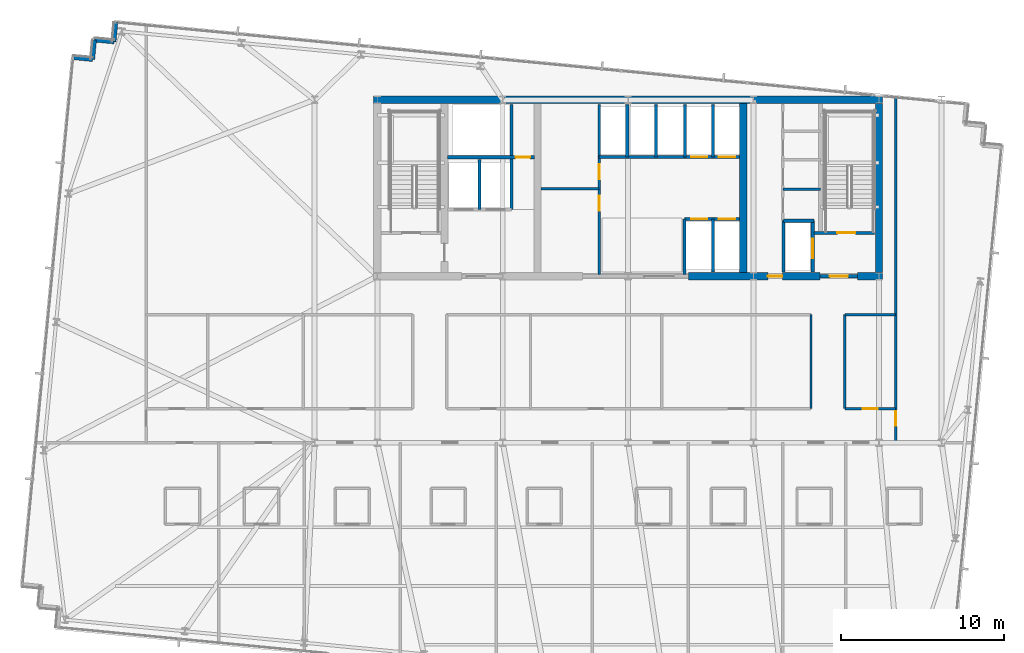
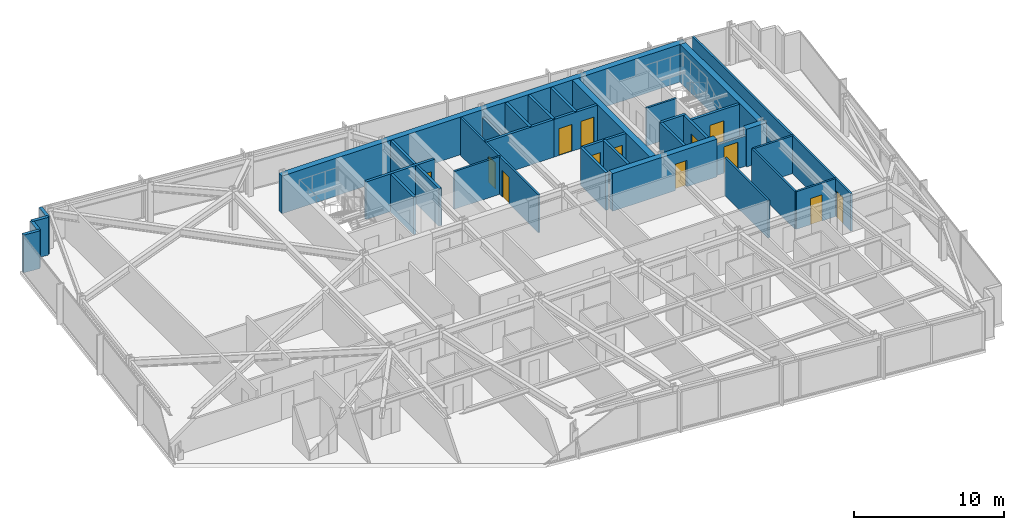
# One storey, part 31 of 38: 34 walls, 13 doors, 13 openings.
"""IFC4 building model written with IfcOpenShell, lengths in metres."""

import ifcopenshell
import ifcopenshell.guid

model = None  # the IFC model being written
_history = None  # IfcOwnerHistory: only IFC2X3 demands one
_inside = {}  # id of a spatial element -> (the spatial element, [elements in it])
_under = {}  # id of a project, library or spatial element -> (it, [spatial elements below it])
_declared = {}  # id of a project -> (the project, [libraries it declares])
_typed = {}  # id of a type object -> (the type object, [elements of that type])
_made_of = {}  # id of a material, layer set ... -> (it, [elements and type objects made of it])


def new_model(schema):
    """Start an empty IFC model of exactly this schema.

    Asked for "IFC4X3", IfcOpenShell would pick the latest addendum, in which some entities
    have other attributes; the version numbers below select the first issue.
    IFC2X3 requires an IfcOwnerHistory on every rooted entity: one is made here for all.
    """
    global model, _history
    if schema == "IFC4X3":
        model = ifcopenshell.file(schema_version=(4, 3, 0, 0))
    else:
        model = ifcopenshell.file(schema=schema)
    _inside.clear()
    _under.clear()
    _declared.clear()
    _typed.clear()
    _made_of.clear()
    _history = None
    if model.schema == "IFC2X3":
        org = make("IfcOrganization", Name="unknown")
        user = make(
            "IfcPersonAndOrganization",
            ThePerson=make("IfcPerson", FamilyName="unknown"),
            TheOrganization=org,
        )
        app = make(
            "IfcApplication",
            ApplicationDeveloper=org,
            Version="unknown",
            ApplicationFullName="unknown",
            ApplicationIdentifier="unknown",
        )
        _history = make(
            "IfcOwnerHistory",
            OwningUser=user,
            OwningApplication=app,
            ChangeAction="ADDED",
            CreationDate=0,
        )
    return model


def make(cls, **values):
    """One entity of the class cls with the attributes given. An attribute that is None is left unset."""
    return model.create_entity(
        cls, **{name: value for name, value in values.items() if value is not None}
    )


def rooted(cls, **values):
    """An entity with a GlobalId (a new one), such as an element, a storey or a relation."""
    return make(cls, GlobalId=ifcopenshell.guid.new(), OwnerHistory=_history, **values)


def si_unit(unit_type, name, prefix=None):
    """IfcSIUnit, for example si_unit("LENGTHUNIT", "METRE", prefix="MILLI")."""
    return make("IfcSIUnit", UnitType=unit_type, Prefix=prefix, Name=name)


def assignment(units):
    """IfcUnitAssignment: the units of a project."""
    return None if units is None else make("IfcUnitAssignment", Units=units)


def point(xyz):
    """IfcCartesianPoint."""
    return None if xyz is None else make("IfcCartesianPoint", Coordinates=xyz)


def direction(xyz):
    """IfcDirection."""
    return None if xyz is None else make("IfcDirection", DirectionRatios=xyz)


def frame(location, z_axis=None, x_axis=None):
    """IfcAxis2Placement3D, a coordinate frame: its origin and axes. An axis left out is left unset."""
    return make(
        "IfcAxis2Placement3D",
        Location=point(location),
        Axis=direction(z_axis),
        RefDirection=direction(x_axis),
    )


def frame_2d(location, x_axis=None):
    """IfcAxis2Placement2D, a coordinate frame in the plane: its origin and x axis."""
    return make(
        "IfcAxis2Placement2D", Location=point(location), RefDirection=direction(x_axis)
    )


def origin():
    """The frame at (0, 0, 0) with its axes left unset."""
    return frame((0.0, 0.0, 0.0))


def place(relative_to, where):
    """IfcLocalPlacement: puts the frame where relative to a parent placement (None: the world)."""
    return make(
        "IfcLocalPlacement", PlacementRelTo=relative_to, RelativePlacement=where
    )


def context(
    kind, dimensions, precision=None, world=None, true_north=None, identifier=None
):
    """IfcGeometricRepresentationContext, for example the 3D "Model" context."""
    return make(
        "IfcGeometricRepresentationContext",
        ContextIdentifier=identifier,
        ContextType=kind,
        CoordinateSpaceDimension=dimensions,
        Precision=precision,
        WorldCoordinateSystem=world,
        TrueNorth=true_north,
    )


def subcontext(parent, identifier, kind, view, scale=None):
    """IfcGeometricRepresentationSubContext, for example "Body" below "Model"."""
    return make(
        "IfcGeometricRepresentationSubContext",
        ContextIdentifier=identifier,
        ContextType=kind,
        ParentContext=parent,
        TargetScale=scale,
        TargetView=view,
    )


def project(units=None, contexts=None):
    """IfcProject with its units and contexts."""
    return rooted(
        "IfcProject",
        Name="project",
        RepresentationContexts=contexts,
        UnitsInContext=assignment(units),
    )


def spatial(cls, under=None, at=None, **own):
    """A site, building, storey or space (cls), placed at a placement, below another one or the project."""
    s = rooted(cls, ObjectPlacement=at, **own)
    if under is not None:
        _under.setdefault(under.id(), (under, []))[1].append(s)
    return s


def profile(cls, at=None, kind="AREA", **sizes):
    """A parametric profile (cls). Its sizes go by their IFC names, for example OverallWidth=200.0."""
    return make(cls, ProfileType=kind, Position=at, **sizes)


def rectangle(**sizes):
    """IfcRectangleProfileDef."""
    return profile("IfcRectangleProfileDef", **sizes)


def extrude(swept, where, along, depth):
    """IfcExtrudedAreaSolid: the profile swept, set in the frame where, extruded along a direction by depth."""
    return make(
        "IfcExtrudedAreaSolid",
        SweptArea=swept,
        Position=where,
        ExtrudedDirection=direction(along),
        Depth=depth,
    )


def shape(context_of_items, identifier, shape_type, items):
    """IfcShapeRepresentation: the items that make up one representation, for example the "Body"."""
    return make(
        "IfcShapeRepresentation",
        ContextOfItems=context_of_items,
        RepresentationIdentifier=identifier,
        RepresentationType=shape_type,
        Items=items,
    )


def material(Name=None, Category=None):
    """IfcMaterial."""
    return make("IfcMaterial", Name=Name, Category=Category)


def layer(
    of_material, thickness, ventilated=None, Name=None, Category=None, Priority=None
):
    """IfcMaterialLayer: one layer of a wall or slab, of a material (None: an air gap)."""
    return make(
        "IfcMaterialLayer",
        Material=of_material,
        LayerThickness=thickness,
        IsVentilated=ventilated,
        Name=Name,
        Category=Category,
        Priority=Priority,
    )


def layer_set(layers, Name=None):
    """IfcMaterialLayerSet."""
    return make("IfcMaterialLayerSet", MaterialLayers=layers, LayerSetName=Name)


def made_of(thing, what):
    """Note that an element or type object is made of a material, layer set ...; save() writes the relation."""
    if what is not None:
        _made_of.setdefault(what.id(), (what, []))[1].append(thing)
    return thing


def type_object(cls, material=None, **own):
    """A type object (cls), such as IfcWallType, which elements share."""
    return made_of(rooted(cls, **own), material)


def element(
    cls,
    number,
    at=None,
    inside=None,
    cuts=None,
    type_object=None,
    material=None,
    context=None,
    identifier="Body",
    shape_type=None,
    held_by="IfcProductDefinitionShape",
    body=None,
    shapes=None,
    **own,
):
    """One element of the class cls, such as IfcWall. Its Tag is "e" and its number.

    at: its placement. inside: the storey or other place that contains it. cuts: it is an
    opening in that element (IfcRelVoidsElement). A single representation is given by context,
    identifier, shape_type and body (its items); several are given by shapes. held_by: the class
    of the entity that holds the representations. save() writes the other relations.
    """
    e = rooted(cls, Tag="e%d" % number, ObjectPlacement=at, **own)
    if body is not None:
        shapes = [shape(context, identifier, shape_type, body)]
    if shapes is not None:
        e.Representation = make(held_by, Representations=shapes)
    if inside is not None:
        _inside.setdefault(inside.id(), (inside, []))[1].append(e)
    if cuts is not None:
        rooted(
            "IfcRelVoidsElement", RelatingBuildingElement=cuts, RelatedOpeningElement=e
        )
    if type_object is not None:
        _typed.setdefault(type_object.id(), (type_object, []))[1].append(e)
    return made_of(e, material)


def fill(opening, filler):
    """IfcRelFillsElement: the door or window that sits in an opening."""
    return rooted(
        "IfcRelFillsElement",
        RelatingOpeningElement=opening,
        RelatedBuildingElement=filler,
    )


def aggregate(whole, parts):
    """IfcRelAggregates: a whole, such as a stair, and the parts it consists of."""
    return rooted("IfcRelAggregates", RelatingObject=whole, RelatedObjects=parts)


def save(model, path):
    """Write the relations noted so far, then the file.

    IfcRelAggregates (storeys below a building ...), IfcRelContainedInSpatialStructure (elements
    in a storey), IfcRelDefinesByType, IfcRelAssociatesMaterial and IfcRelDeclares: one each for
    every whole, place, type object, material and project.
    """
    for whole, parts in _under.values():
        aggregate(whole, parts)
    for where, things in _inside.values():
        rooted(
            "IfcRelContainedInSpatialStructure",
            RelatedElements=things,
            RelatingStructure=where,
        )
    for kind, things in _typed.values():
        rooted("IfcRelDefinesByType", RelatedObjects=things, RelatingType=kind)
    for what, things in _made_of.values():
        rooted("IfcRelAssociatesMaterial", RelatedObjects=things, RelatingMaterial=what)
    for by, libraries in _declared.values():
        rooted("IfcRelDeclares", RelatingContext=by, RelatedDefinitions=libraries)
    model.write(path)


model = new_model("IFC4")

# Units and contexts
model_context = context("Model", 3, precision=1e-05, world=origin(), true_north=direction((0.0, 1.0)))
body_context = subcontext(model_context, "Body", "Model", "MODEL_VIEW")
ifc_project = project(units=[si_unit("LENGTHUNIT", "METRE"), si_unit("AREAUNIT", "SQUARE_METRE"), si_unit("VOLUMEUNIT", "CUBIC_METRE"), si_unit("PLANEANGLEUNIT", "RADIAN"), si_unit("MASSUNIT", "GRAM", prefix="KILO")], contexts=[model_context])

# Site, building, storey
site_placement = place(None, origin())
site = spatial("IfcSite", under=ifc_project, at=site_placement, CompositionType="ELEMENT")
building_placement = place(site_placement, origin())
building = spatial("IfcBuilding", under=site, at=building_placement, Name="Yelkora Congress Tower", CompositionType="ELEMENT")
storey_placement = place(building_placement, frame((0.0, 0.0, 155.60009765625)))
storey = spatial("IfcBuildingStorey", under=building, at=storey_placement, Name="L42", CompositionType="ELEMENT", Elevation=155.60009765625)

# Wall
ifc_material_1 = material(Name="Concrete C60/75", Category="concrete")
ifc_layer_1 = layer(ifc_material_1, 0.449951171875)
ifc_layer_set_1 = layer_set([ifc_layer_1], Name="Concrete C60/75")
wall_type_1 = type_object("IfcWallType", Name="WALL-CORE-INT-450", PredefinedType="SHEAR", material=ifc_layer_set_1)
wall_1_placement = place(storey_placement, frame((22.81494140625, 46.199951171875, 0.0), z_axis=(0.0, 0.0, 1.0), x_axis=(1.0, 0.0, 0.0)))
element("IfcWall", 1, at=wall_1_placement, inside=storey, type_object=wall_type_1, Name="L42 Rear Core North Shear Wall", PredefinedType="SHEAR", context=body_context, shape_type="SweptSolid", body=[
    extrude(rectangle(XDim=31.170166015625, YDim=0.449951171875, at=frame_2d((15.5849609375, 0.0))), origin(), (0.0, 0.0, 1.0), 3.079833984375),
])

# Wall, opening, door
wall_2_placement = place(storey_placement, frame((42.10009765625, 35.39990234375, 0.0), z_axis=(0.0, 0.0, 1.0), x_axis=(1.0, 0.0, 0.0)))
wall_2 = element("IfcWall", 2, at=wall_2_placement, inside=storey, type_object=wall_type_1, Name="L42 Rear Core South-East Shear Wall A", PredefinedType="SHEAR", context=body_context, shape_type="SweptSolid", body=[
    extrude(rectangle(XDim=8.0498046875, YDim=0.449951171875, at=frame_2d((4.02490234375, 0.0))), origin(), (0.0, 0.0, 1.0), 3.079833984375),
])
opening_1_placement = place(wall_2_placement, frame((4.85009765625, 0.0, 0.0)))
opening_1 = element("IfcOpeningElement", 3, at=opening_1_placement, cuts=wall_2, Name="Opening DR-090F6", PredefinedType="OPENING", context=body_context, shape_type="SweptSolid", body=[
    extrude(rectangle(XDim=0.89990234375, YDim=2.14990234375, at=frame_2d((0.449951171875, 1.074951171875))), frame((0.0, 0.23486328125, 0.0), z_axis=(0.0, -1.0, 0.0), x_axis=(1.0, 0.0, 0.0)), (0.0, 0.0, 1.0), 0.469970703125),
])
ifc_material_2 = material(Name="Painted steel riser fire door leaf", Category="steel")
door_type_1 = type_object("IfcDoorType", Name="DOOR-FD60-900", OperationType="NOTDEFINED", PredefinedType="DOOR", material=ifc_material_2)
door_1_placement = place(opening_1_placement, origin())
door_1 = element("IfcDoor", 4, at=door_1_placement, inside=storey, type_object=door_type_1, Name="L42 Core Washroom Lobby Door", OperationType="SINGLE_SWING_RIGHT", OverallHeight=2.14990234375, OverallWidth=0.89990234375, PredefinedType="DOOR", context=body_context, shape_type="SweptSolid", body=[
    extrude(rectangle(XDim=0.89990234375, YDim=2.14990234375, at=frame_2d((0.449951171875, 1.074951171875))), frame((0.0, 0.02490234375, 0.0), z_axis=(0.0, -1.0, 0.0), x_axis=(1.0, 0.0, 0.0)), (0.0, 0.0, 1.0), 0.050048828125),
])
fill(opening_1, door_1)

# Walls
wall_3_placement = place(storey_placement, frame((52.449951171875, 35.39990234375, 0.0), z_axis=(0.0, 0.0, 1.0), x_axis=(1.0, 0.0, 0.0)))
element("IfcWall", 5, at=wall_3_placement, inside=storey, type_object=wall_type_1, Name="L42 Rear Core South-East Shear Wall B", PredefinedType="SHEAR", context=body_context, shape_type="SweptSolid", body=[
    extrude(rectangle(XDim=1.53515625, YDim=0.449951171875, at=frame_2d((0.767578125, 0.0))), origin(), (0.0, 0.0, 1.0), 3.079833984375),
])
for number, where, z_axis, x_axis, name in (
    (6, (45.449951171875, 35.625, 0.0), (0.0, 0.0, 1.0), (0.0, 1.0, 0.0), "L42 Rear Core Cross Shear Wall C3"),
    (7, (53.760009765625, 35.625, 0.0), (0.0, 0.0, 1.0), (0.0, 1.0, 0.0), "L42 Rear Core Cross Shear Wall E"),
):
    element("IfcWall", number, at=place(storey_placement, frame(where, z_axis=z_axis, x_axis=x_axis)), inside=storey, type_object=wall_type_1, Name=name, PredefinedType="SHEAR", context=body_context, shape_type="SweptSolid", body=[
        extrude(rectangle(XDim=10.35009765625, YDim=0.449951171875, at=frame_2d((5.175048828125, 0.0))), origin(), (0.0, 0.0, 1.0), 3.079833984375),
    ])
ifc_material_3 = material(Name="Concrete C40/50", Category="concrete")
ifc_layer_2 = layer(ifc_material_3, 0.239990234375)
ifc_layer_set_2 = layer_set([ifc_layer_2], Name="Concrete C40/50")
wall_type_2 = type_object("IfcWallType", Name="WALL-EXT-LIMESTONE-240", PredefinedType="SOLIDWALL", material=ifc_layer_set_2)
wall_4_placement = place(storey_placement, frame((4.41064453125, 48.778564453125, 0.0), z_axis=(0.0, 0.0, 1.0), x_axis=(0.995397091755, -0.095836473879, 0.0)))
element("IfcWall", 8, at=wall_4_placement, inside=storey, type_object=wall_type_2, Name="L42 Serrated Corner Limestone Pier 6", PredefinedType="SOLIDWALL", context=body_context, shape_type="SweptSolid", body=[
    extrude(rectangle(XDim=1.199951171875, YDim=0.239990234375, at=frame_2d((0.60009765625, 0.0))), origin(), (0.0, 0.0, 1.0), 3.079833984375),
])
wall_5_placement = place(storey_placement, frame((5.60498046875, 48.66357421875, 0.0), z_axis=(0.0, 0.0, 1.0), x_axis=(0.096018626938, 0.995379537303, 0.0)))
element("IfcWall", 9, at=wall_5_placement, inside=storey, type_object=wall_type_2, Name="L42 Serrated Corner Limestone Pier 7", PredefinedType="SOLIDWALL", context=body_context, shape_type="SweptSolid", body=[
    extrude(rectangle(XDim=1.2001953125, YDim=0.239990234375, at=frame_2d((0.60009765625, 0.0))), origin(), (0.0, 0.0, 1.0), 3.079833984375),
])
for number, where, z_axis, x_axis, name in (
    (10, (5.72021484375, 49.858154296875, 0.0), (0.0, 0.0, 1.0), (0.995397091755, -0.095836473879, 0.0), "L42 Serrated Corner Limestone Pier 8"),
    (11, (6.91455078125, 49.7431640625, 0.0), (0.0, 0.0, 1.0), (0.095836473879, 0.995397091755, 0.0), "L42 Serrated Corner Limestone Pier 9"),
):
    element("IfcWall", number, at=place(storey_placement, frame(where, z_axis=z_axis, x_axis=x_axis)), inside=storey, type_object=wall_type_2, Name=name, PredefinedType="SOLIDWALL", context=body_context, shape_type="SweptSolid", body=[
        extrude(rectangle(XDim=1.199951171875, YDim=0.239990234375, at=frame_2d((0.60009765625, 0.0))), origin(), (0.0, 0.0, 1.0), 3.079833984375),
    ])
ifc_material_4 = material(Name="Acoustic metal-stud gypsum partition", Category="gypsum")
ifc_layer_3 = layer(ifc_material_4, 0.14990234375)
ifc_layer_set_3 = layer_set([ifc_layer_3], Name="Acoustic metal-stud gypsum partition")
wall_type_3 = type_object("IfcWallType", Name="WALL-INT-150-NR", PredefinedType="PARTITIONING", material=ifc_layer_set_3)
wall_6_placement = place(storey_placement, frame((47.8798828125, 40.719970703125, 0.0), z_axis=(0.0, 0.0, 1.0), x_axis=(1.0, 0.0, 0.0)))
element("IfcWall", 12, at=wall_6_placement, inside=storey, type_object=wall_type_3, Name="L42 Partition Wall 24", PredefinedType="PARTITIONING", context=body_context, shape_type="SweptSolid", body=[
    extrude(rectangle(XDim=2.300048828125, YDim=0.14990234375, at=frame_2d((1.14990234375, 0.0))), origin(), (0.0, 0.0, 1.0), 3.079833984375),
])

# Wall, opening, door
wall_7_placement = place(storey_placement, frame((54.784912109375, 25.199951171875, 0.0), z_axis=(0.0, 0.0, 1.0), x_axis=(0.0, 1.0, 0.0)))
wall_7 = element("IfcWall", 13, at=wall_7_placement, inside=storey, type_object=wall_type_3, Name="L42 Partition Wall 74", PredefinedType="PARTITIONING", context=body_context, shape_type="SweptSolid", body=[
    extrude(rectangle(XDim=21.19970703125, YDim=0.14990234375, at=frame_2d((10.599853515625, 0.0))), origin(), (0.0, 0.0, 1.0), 3.079833984375),
])
opening_2_placement = place(wall_7_placement, frame((1.030029296875, 0.0, 0.0)))
opening_2 = element("IfcOpeningElement", 14, at=opening_2_placement, cuts=wall_7, Name="Opening DR-090N", PredefinedType="OPENING", context=body_context, shape_type="SweptSolid", body=[
    extrude(rectangle(XDim=0.89990234375, YDim=2.14990234375, at=frame_2d((0.449951171875, 1.074951171875))), frame((0.0, 0.0849609375, 0.0), z_axis=(0.0, -1.0, 0.0), x_axis=(1.0, 0.0, 0.0)), (0.0, 0.0, 1.0), 0.169921875),
])
ifc_material_5 = material(Name="Moisture-resistant laminate door leaf", Category="wood")
door_type_2 = type_object("IfcDoorType", Name="DOOR-INT-900", OperationType="NOTDEFINED", PredefinedType="DOOR", material=ifc_material_5)
door_2_placement = place(opening_2_placement, origin())
door_2 = element("IfcDoor", 15, at=door_2_placement, inside=storey, type_object=door_type_2, Name="L42 E Wing Door", OperationType="SINGLE_SWING_LEFT", OverallHeight=2.14990234375, OverallWidth=0.89990234375, PredefinedType="DOOR", context=body_context, shape_type="SweptSolid", body=[
    extrude(rectangle(XDim=0.89990234375, YDim=2.14990234375, at=frame_2d((0.449951171875, 1.074951171875))), frame((0.0, 0.02490234375, 0.0), z_axis=(0.0, -1.0, 0.0), x_axis=(1.0, 0.0, 0.0)), (0.0, 0.0, 1.0), 0.050048828125),
])
fill(opening_2, door_2)

# Walls
for number, where, z_axis, x_axis, name in (
    (16, (49.60009765625, 27.280029296875, 0.0), (0.0, 0.0, 1.0), (0.0, 1.0, 0.0), "L42 Partition Wall 77"),
    (17, (51.679931640625, 27.280029296875, 0.0), (0.0, 0.0, 1.0), (0.0, 1.0, 0.0), "L42 Partition Wall 78"),
):
    element("IfcWall", number, at=place(storey_placement, frame(where, z_axis=z_axis, x_axis=x_axis)), inside=storey, type_object=wall_type_3, Name=name, PredefinedType="PARTITIONING", context=body_context, shape_type="SweptSolid", body=[
        extrude(rectangle(XDim=5.77001953125, YDim=0.14990234375, at=frame_2d((2.885009765625, 0.0))), origin(), (0.0, 0.0, 1.0), 3.079833984375),
    ])
wall_8_placement = place(storey_placement, frame((51.679931640625, 33.050048828125, 0.0), z_axis=(0.0, 0.0, 1.0), x_axis=(1.0, 0.0, 0.0)))
element("IfcWall", 18, at=wall_8_placement, inside=storey, type_object=wall_type_3, Name="L42 Partition Wall 81", PredefinedType="PARTITIONING", context=body_context, shape_type="SweptSolid", body=[
    extrude(rectangle(XDim=3.10498046875, YDim=0.14990234375, at=frame_2d((1.552490234375, 0.0))), origin(), (0.0, 0.0, 1.0), 3.079833984375),
])

# Wall, opening, door
wall_9_placement = place(storey_placement, frame((51.68994140625, 27.280029296875, 0.0), z_axis=(0.0, 0.0, 1.0), x_axis=(1.0, 0.0, 0.0)))
wall_9 = element("IfcWall", 19, at=wall_9_placement, inside=storey, type_object=wall_type_3, Name="L42 Partition Wall 88", PredefinedType="PARTITIONING", context=body_context, shape_type="SweptSolid", body=[
    extrude(rectangle(XDim=3.074951171875, YDim=0.14990234375, at=frame_2d((1.53759765625, 0.0))), origin(), (0.0, 0.0, 1.0), 3.079833984375),
])
opening_3_placement = place(wall_9_placement, frame((1.08740234375, 0.0, 0.0)))
opening_3 = element("IfcOpeningElement", 20, at=opening_3_placement, cuts=wall_9, Name="Opening DR-090N", PredefinedType="OPENING", context=body_context, shape_type="SweptSolid", body=[
    extrude(rectangle(XDim=0.89990234375, YDim=2.14990234375, at=frame_2d((0.449951171875, 1.074951171875))), frame((0.0, 0.0849609375, 0.0), z_axis=(0.0, -1.0, 0.0), x_axis=(1.0, 0.0, 0.0)), (0.0, 0.0, 1.0), 0.169921875),
])
door_3_placement = place(opening_3_placement, origin())
door_3 = element("IfcDoor", 21, at=door_3_placement, inside=storey, type_object=door_type_2, Name="L42 Breakout Training Room Door", OperationType="SINGLE_SWING_RIGHT", OverallHeight=2.14990234375, OverallWidth=0.89990234375, PredefinedType="DOOR", context=body_context, shape_type="SweptSolid", body=[
    extrude(rectangle(XDim=0.89990234375, YDim=2.14990234375, at=frame_2d((0.449951171875, 1.074951171875))), frame((0.0, 0.02490234375, 0.0), z_axis=(0.0, -1.0, 0.0), x_axis=(1.0, 0.0, 0.0)), (0.0, 0.0, 1.0), 0.050048828125),
])
fill(opening_3, door_3)

# Wall
ifc_material_6 = material(Name="Twin-stud fire-rated gypsum partition", Category="gypsum")
ifc_layer_4 = layer(ifc_material_6, 0.14990234375)
ifc_layer_set_4 = layer_set([ifc_layer_4], Name="Twin-stud fire-rated gypsum partition")
wall_type_4 = type_object("IfcWallType", Name="WALL-INT-150-R60", PredefinedType="PARTITIONING", material=ifc_layer_set_4)
wall_10_placement = place(storey_placement, frame((33.050048828125, 40.75, 0.0), z_axis=(0.0, 0.0, 1.0), x_axis=(1.0, 0.0, 0.0)))
element("IfcWall", 22, at=wall_10_placement, inside=storey, type_object=wall_type_4, Name="L42 Partition Wall 11", PredefinedType="PARTITIONING", context=body_context, shape_type="SweptSolid", body=[
    extrude(rectangle(XDim=3.570068359375, YDim=0.14990234375, at=frame_2d((1.78515625, 0.0))), origin(), (0.0, 0.0, 1.0), 3.079833984375),
])

# Wall, openings, doors
wall_11_placement = place(storey_placement, frame((36.6201171875, 35.5, 0.0), z_axis=(0.0, 0.0, 1.0), x_axis=(0.0, 1.0, 0.0)))
wall_11 = element("IfcWall", 23, at=wall_11_placement, inside=storey, type_object=wall_type_4, Name="L42 Partition Wall 12", PredefinedType="PARTITIONING", context=body_context, shape_type="SweptSolid", body=[
    extrude(rectangle(XDim=10.419921875, YDim=0.14990234375, at=frame_2d((5.2099609375, 0.0))), origin(), (0.0, 0.0, 1.0), 3.079833984375),
])
opening_4_placement = place(wall_11_placement, frame((3.919921875, 0.0, 0.0)))
opening_4 = element("IfcOpeningElement", 24, at=opening_4_placement, cuts=wall_11, Name="Opening DR-090F6", PredefinedType="OPENING", context=body_context, shape_type="SweptSolid", body=[
    extrude(rectangle(XDim=0.89990234375, YDim=2.14990234375, at=frame_2d((0.449951171875, 1.074951171875))), frame((0.0, 0.0849609375, 0.0), z_axis=(0.0, -1.0, 0.0), x_axis=(1.0, 0.0, 0.0)), (0.0, 0.0, 1.0), 0.169921875),
])
opening_5_placement = place(wall_11_placement, frame((5.85009765625, 0.0, 0.0)))
opening_5 = element("IfcOpeningElement", 25, at=opening_5_placement, cuts=wall_11, Name="Opening DR-090F6", PredefinedType="OPENING", context=body_context, shape_type="SweptSolid", body=[
    extrude(rectangle(XDim=0.89990234375, YDim=2.14990234375, at=frame_2d((0.449951171875, 1.074951171875))), frame((0.0, 0.0849609375, 0.0), z_axis=(0.0, -1.0, 0.0), x_axis=(1.0, 0.0, 0.0)), (0.0, 0.0, 1.0), 0.169921875),
])
door_4_placement = place(opening_4_placement, origin())
door_4 = element("IfcDoor", 26, at=door_4_placement, inside=storey, type_object=door_type_1, Name="L42 Telecom Store Door", OperationType="SINGLE_SWING_LEFT", OverallHeight=2.14990234375, OverallWidth=0.89990234375, PredefinedType="DOOR", context=body_context, shape_type="SweptSolid", body=[
    extrude(rectangle(XDim=0.89990234375, YDim=2.14990234375, at=frame_2d((0.449951171875, 1.074951171875))), frame((0.0, 0.02490234375, 0.0), z_axis=(0.0, -1.0, 0.0), x_axis=(1.0, 0.0, 0.0)), (0.0, 0.0, 1.0), 0.050048828125),
])
fill(opening_4, door_4)
door_5_placement = place(opening_5_placement, origin())
door_5 = element("IfcDoor", 27, at=door_5_placement, inside=storey, type_object=door_type_1, Name="L42 Archive Store Door", OperationType="SINGLE_SWING_RIGHT", OverallHeight=2.14990234375, OverallWidth=0.89990234375, PredefinedType="DOOR", context=body_context, shape_type="SweptSolid", body=[
    extrude(rectangle(XDim=0.89990234375, YDim=2.14990234375, at=frame_2d((0.449951171875, 1.074951171875))), frame((0.0, 0.02490234375, 0.0), z_axis=(0.0, -1.0, 0.0), x_axis=(1.0, 0.0, 0.0)), (0.0, 0.0, 1.0), 0.050048828125),
])
fill(opening_5, door_5)

# Walls
ifc_material_7 = material(Name="Autoclaved aerated concrete blockwork", Category="masonry")
ifc_layer_5 = layer(ifc_material_7, 0.199951171875)
ifc_layer_set_5 = layer_set([ifc_layer_5], Name="Autoclaved aerated concrete blockwork")
wall_type_5 = type_object("IfcWallType", Name="WALL-INT-200-R120", PredefinedType="PARTITIONING", material=ifc_layer_set_5)
wall_12_placement = place(storey_placement, frame((29.300048828125, 39.47998046875, 0.0), z_axis=(0.0, 0.0, 1.0), x_axis=(0.0, 1.0, 0.0)))
element("IfcWall", 28, at=wall_12_placement, inside=storey, type_object=wall_type_5, Name="L42 Partition Wall 4", PredefinedType="PARTITIONING", context=body_context, shape_type="SweptSolid", body=[
    extrude(rectangle(XDim=3.070068359375, YDim=0.199951171875, at=frame_2d((1.53515625, 0.0))), origin(), (0.0, 0.0, 1.0), 3.079833984375),
])
wall_13_placement = place(storey_placement, frame((31.260009765625, 39.47998046875, 0.0), z_axis=(0.0, 0.0, 1.0), x_axis=(0.0, 1.0, 0.0)))
element("IfcWall", 29, at=wall_13_placement, inside=storey, type_object=wall_type_5, Name="L42 Partition Wall 5", PredefinedType="PARTITIONING", context=body_context, shape_type="SweptSolid", body=[
    extrude(rectangle(XDim=6.43994140625, YDim=0.199951171875, at=frame_2d((3.219970703125, 0.0))), origin(), (0.0, 0.0, 1.0), 3.079833984375),
])

# Wall, opening, door
wall_14_placement = place(storey_placement, frame((27.320068359375, 42.679931640625, 0.0), z_axis=(0.0, 0.0, 1.0), x_axis=(1.0, 0.0, 0.0)))
wall_14 = element("IfcWall", 30, at=wall_14_placement, inside=storey, type_object=wall_type_5, Name="L42 Smoke Riser South Wall", PredefinedType="PARTITIONING", context=body_context, shape_type="SweptSolid", body=[
    extrude(rectangle(XDim=5.329833984375, YDim=0.199951171875, at=frame_2d((2.6650390625, 0.0))), origin(), (0.0, 0.0, 1.0), 3.079833984375),
])
opening_6_placement = place(wall_14_placement, frame((4.179931640625, 0.0, 0.0)))
opening_6 = element("IfcOpeningElement", 31, at=opening_6_placement, cuts=wall_14, Name="Opening DR-090F6", PredefinedType="OPENING", context=body_context, shape_type="SweptSolid", body=[
    extrude(rectangle(XDim=0.89990234375, YDim=2.14990234375, at=frame_2d((0.449951171875, 1.074951171875))), frame((0.0, 0.10986328125, 0.0), z_axis=(0.0, -1.0, 0.0), x_axis=(1.0, 0.0, 0.0)), (0.0, 0.0, 1.0), 0.219970703125),
])
door_6_placement = place(opening_6_placement, origin())
door_6 = element("IfcDoor", 32, at=door_6_placement, inside=storey, type_object=door_type_1, Name="L42 Riser Access Door", OperationType="SINGLE_SWING_LEFT", OverallHeight=2.14990234375, OverallWidth=0.89990234375, PredefinedType="DOOR", context=body_context, shape_type="SweptSolid", body=[
    extrude(rectangle(XDim=0.89990234375, YDim=2.14990234375, at=frame_2d((0.449951171875, 1.074951171875))), frame((0.0, 0.02490234375, 0.0), z_axis=(0.0, -1.0, 0.0), x_axis=(1.0, 0.0, 0.0)), (0.0, 0.0, 1.0), 0.050048828125),
])
fill(opening_6, door_6)

# Walls
wall_15_placement = place(storey_placement, frame((36.60009765625, 42.699951171875, 0.0), z_axis=(0.0, 0.0, 1.0), x_axis=(1.0, 0.0, 0.0)))
element("IfcWall", 33, at=wall_15_placement, inside=storey, type_object=wall_type_5, Name="L42 Partition Wall 8", PredefinedType="PARTITIONING", context=body_context, shape_type="SweptSolid", body=[
    extrude(rectangle(XDim=5.25, YDim=0.199951171875, at=frame_2d((2.625, 0.0))), origin(), (0.0, 0.0, 1.0), 3.079833984375),
])
wall_16_placement = place(storey_placement, frame((38.35009765625, 42.699951171875, 0.0), z_axis=(0.0, 0.0, 1.0), x_axis=(0.0, 1.0, 0.0)))
element("IfcWall", 34, at=wall_16_placement, inside=storey, type_object=wall_type_5, Name="L42 Partition Wall 9", PredefinedType="PARTITIONING", context=body_context, shape_type="SweptSolid", body=[
    extrude(rectangle(XDim=3.219970703125, YDim=0.199951171875, at=frame_2d((1.60986328125, 0.0))), origin(), (0.0, 0.0, 1.0), 2.474853515625),
])
wall_17_placement = place(storey_placement, frame((40.10009765625, 42.699951171875, 0.0), z_axis=(0.0, 0.0, 1.0), x_axis=(0.0, 1.0, 0.0)))
element("IfcWall", 35, at=wall_17_placement, inside=storey, type_object=wall_type_5, Name="L42 Partition Wall 10", PredefinedType="PARTITIONING", context=body_context, shape_type="SweptSolid", body=[
    extrude(rectangle(XDim=3.219970703125, YDim=0.199951171875, at=frame_2d((1.60986328125, 0.0))), origin(), (0.0, 0.0, 1.0), 3.079833984375),
])

# Wall, openings, doors
wall_18_placement = place(storey_placement, frame((41.85009765625, 38.89990234375, 0.0), z_axis=(0.0, 0.0, 1.0), x_axis=(1.0, 0.0, 0.0)))
wall_18 = element("IfcWall", 36, at=wall_18_placement, inside=storey, type_object=wall_type_5, Name="L42 Partition Wall 13", PredefinedType="PARTITIONING", context=body_context, shape_type="SweptSolid", body=[
    extrude(rectangle(XDim=3.369873046875, YDim=0.199951171875, at=frame_2d((1.68505859375, 0.0))), origin(), (0.0, 0.0, 1.0), 3.079833984375),
])
opening_7_placement = place(wall_18_placement, frame((0.39990234375, 0.0, 0.0)))
opening_7 = element("IfcOpeningElement", 37, at=opening_7_placement, cuts=wall_18, Name="Opening LD-PS10", PredefinedType="OPENING", context=body_context, shape_type="SweptSolid", body=[
    extrude(rectangle(XDim=1.0, YDim=2.199951171875, at=frame_2d((0.5, 1.10009765625))), frame((0.0, 0.10986328125, 0.0), z_axis=(0.0, -1.0, 0.0), x_axis=(1.0, 0.0, 0.0)), (0.0, 0.0, 1.0), 0.219970703125),
])
opening_8_placement = place(wall_18_placement, frame((2.10009765625, 0.0, 0.0)))
opening_8 = element("IfcOpeningElement", 38, at=opening_8_placement, cuts=wall_18, Name="Opening LD-PS10", PredefinedType="OPENING", context=body_context, shape_type="SweptSolid", body=[
    extrude(rectangle(XDim=1.0, YDim=2.199951171875, at=frame_2d((0.5, 1.10009765625))), frame((0.0, 0.10986328125, 0.0), z_axis=(0.0, -1.0, 0.0), x_axis=(1.0, 0.0, 0.0)), (0.0, 0.0, 1.0), 0.219970703125),
])
ifc_material_8 = material(Name="Champagne stainless steel landing door", Category="steel")
door_type_3 = type_object("IfcDoorType", Name="DOOR-LIFT-PAS-1000", OperationType="DOUBLE_DOOR_SLIDING", PredefinedType="DOOR", material=ifc_material_8)
door_7_placement = place(opening_7_placement, origin())
door_7 = element("IfcDoor", 39, at=door_7_placement, inside=storey, type_object=door_type_3, Name="Lift Landing Door LF-P5 L42", OperationType="DOUBLE_DOOR_SLIDING", OverallHeight=2.199951171875, OverallWidth=1.0, PredefinedType="DOOR", context=body_context, shape_type="SweptSolid", body=[
    extrude(rectangle(XDim=1.0, YDim=2.199951171875, at=frame_2d((0.5, 1.10009765625))), frame((0.0, 0.02490234375, 0.0), z_axis=(0.0, -1.0, 0.0), x_axis=(1.0, 0.0, 0.0)), (0.0, 0.0, 1.0), 0.050048828125),
])
fill(opening_7, door_7)
door_8_placement = place(opening_8_placement, origin())
door_8 = element("IfcDoor", 40, at=door_8_placement, inside=storey, type_object=door_type_3, Name="Lift Landing Door LF-P6 L42", OperationType="DOUBLE_DOOR_SLIDING", OverallHeight=2.199951171875, OverallWidth=1.0, PredefinedType="DOOR", context=body_context, shape_type="SweptSolid", body=[
    extrude(rectangle(XDim=1.0, YDim=2.199951171875, at=frame_2d((0.5, 1.10009765625))), frame((0.0, 0.02490234375, 0.0), z_axis=(0.0, -1.0, 0.0), x_axis=(1.0, 0.0, 0.0)), (0.0, 0.0, 1.0), 0.050048828125),
])
fill(opening_8, door_8)

wall_19_placement = place(storey_placement, frame((41.85009765625, 42.699951171875, 0.0), z_axis=(0.0, 0.0, 1.0), x_axis=(1.0, 0.0, 0.0)))
wall_19 = element("IfcWall", 41, at=wall_19_placement, inside=storey, type_object=wall_type_5, Name="L42 Partition Wall 14", PredefinedType="PARTITIONING", context=body_context, shape_type="SweptSolid", body=[
    extrude(rectangle(XDim=3.369873046875, YDim=0.199951171875, at=frame_2d((1.68505859375, 0.0))), origin(), (0.0, 0.0, 1.0), 3.079833984375),
])
opening_9_placement = place(wall_19_placement, frame((0.39990234375, 0.0, 0.0)))
opening_9 = element("IfcOpeningElement", 42, at=opening_9_placement, cuts=wall_19, Name="Opening LD-PS10", PredefinedType="OPENING", context=body_context, shape_type="SweptSolid", body=[
    extrude(rectangle(XDim=1.0, YDim=2.199951171875, at=frame_2d((0.5, 1.10009765625))), frame((0.0, 0.10986328125, 0.0), z_axis=(0.0, -1.0, 0.0), x_axis=(1.0, 0.0, 0.0)), (0.0, 0.0, 1.0), 0.219970703125),
])
opening_10_placement = place(wall_19_placement, frame((2.10009765625, 0.0, 0.0)))
opening_10 = element("IfcOpeningElement", 43, at=opening_10_placement, cuts=wall_19, Name="Opening LD-PS10", PredefinedType="OPENING", context=body_context, shape_type="SweptSolid", body=[
    extrude(rectangle(XDim=1.0, YDim=2.199951171875, at=frame_2d((0.5, 1.10009765625))), frame((0.0, 0.10986328125, 0.0), z_axis=(0.0, -1.0, 0.0), x_axis=(1.0, 0.0, 0.0)), (0.0, 0.0, 1.0), 0.219970703125),
])
door_9_placement = place(opening_9_placement, origin())
door_9 = element("IfcDoor", 44, at=door_9_placement, inside=storey, type_object=door_type_3, Name="Lift Landing Door LF-P7 L42", OperationType="DOUBLE_DOOR_SLIDING", OverallHeight=2.199951171875, OverallWidth=1.0, PredefinedType="DOOR", context=body_context, shape_type="SweptSolid", body=[
    extrude(rectangle(XDim=1.0, YDim=2.199951171875, at=frame_2d((0.5, 1.10009765625))), frame((0.0, 0.02490234375, 0.0), z_axis=(0.0, -1.0, 0.0), x_axis=(1.0, 0.0, 0.0)), (0.0, 0.0, 1.0), 0.050048828125),
])
fill(opening_9, door_9)
door_10_placement = place(opening_10_placement, origin())
door_10 = element("IfcDoor", 45, at=door_10_placement, inside=storey, type_object=door_type_3, Name="Lift Landing Door LF-P8 L42", OperationType="DOUBLE_DOOR_SLIDING", OverallHeight=2.199951171875, OverallWidth=1.0, PredefinedType="DOOR", context=body_context, shape_type="SweptSolid", body=[
    extrude(rectangle(XDim=1.0, YDim=2.199951171875, at=frame_2d((0.5, 1.10009765625))), frame((0.0, 0.02490234375, 0.0), z_axis=(0.0, -1.0, 0.0), x_axis=(1.0, 0.0, 0.0)), (0.0, 0.0, 1.0), 0.050048828125),
])
fill(opening_10, door_10)

# Walls
wall_20_placement = place(storey_placement, frame((43.60009765625, 35.64990234375, 0.0), z_axis=(0.0, 0.0, 1.0), x_axis=(0.0, 1.0, 0.0)))
element("IfcWall", 46, at=wall_20_placement, inside=storey, type_object=wall_type_5, Name="L42 Partition Wall 15", PredefinedType="PARTITIONING", context=body_context, shape_type="SweptSolid", body=[
    extrude(rectangle(XDim=3.25, YDim=0.199951171875, at=frame_2d((1.625, 0.0))), origin(), (0.0, 0.0, 1.0), 3.079833984375),
])
wall_21_placement = place(storey_placement, frame((43.60009765625, 42.699951171875, 0.0), z_axis=(0.0, 0.0, 1.0), x_axis=(0.0, 1.0, 0.0)))
element("IfcWall", 47, at=wall_21_placement, inside=storey, type_object=wall_type_5, Name="L42 Partition Wall 16", PredefinedType="PARTITIONING", context=body_context, shape_type="SweptSolid", body=[
    extrude(rectangle(XDim=3.219970703125, YDim=0.199951171875, at=frame_2d((1.60986328125, 0.0))), origin(), (0.0, 0.0, 1.0), 3.079833984375),
])
wall_22_placement = place(storey_placement, frame((41.85009765625, 35.5, 0.0), z_axis=(0.0, 0.0, 1.0), x_axis=(0.0, 1.0, 0.0)))
element("IfcWall", 48, at=wall_22_placement, inside=storey, type_object=wall_type_5, Name="L42 Partition Wall 17", PredefinedType="PARTITIONING", context=body_context, shape_type="SweptSolid", body=[
    extrude(rectangle(XDim=3.39990234375, YDim=0.199951171875, at=frame_2d((1.699951171875, 0.0))), origin(), (0.0, 0.0, 1.0), 3.079833984375),
])
wall_23_placement = place(storey_placement, frame((41.8798828125, 42.699951171875, 0.0), z_axis=(0.0, 0.0, 1.0), x_axis=(0.0, 1.0, 0.0)))
element("IfcWall", 49, at=wall_23_placement, inside=storey, type_object=wall_type_5, Name="L42 Partition Wall 18", PredefinedType="PARTITIONING", context=body_context, shape_type="SweptSolid", body=[
    extrude(rectangle(XDim=3.219970703125, YDim=0.199951171875, at=frame_2d((1.60986328125, 0.0))), origin(), (0.0, 0.0, 1.0), 3.079833984375),
])

# Wall, opening, door
wall_24_placement = place(storey_placement, frame((49.780029296875, 38.050048828125, 0.0), z_axis=(0.0, 0.0, 1.0), x_axis=(1.0, 0.0, 0.0)))
wall_24 = element("IfcWall", 50, at=wall_24_placement, inside=storey, type_object=wall_type_5, Name="L42 Stair ST-02 Enclosure Wall", PredefinedType="PARTITIONING", context=body_context, shape_type="SweptSolid", body=[
    extrude(rectangle(XDim=3.719970703125, YDim=0.199951171875, at=frame_2d((1.85986328125, 0.0))), origin(), (0.0, 0.0, 1.0), 3.079833984375),
])
opening_11_placement = place(wall_24_placement, frame((1.436279296875, 0.0, 0.0)))
opening_11 = element("IfcOpeningElement", 51, at=opening_11_placement, cuts=wall_24, Name="Opening DR-110F9", PredefinedType="OPENING", context=body_context, shape_type="SweptSolid", body=[
    extrude(rectangle(XDim=1.10009765625, YDim=2.14990234375, at=frame_2d((0.550048828125, 1.074951171875))), frame((0.0, 0.10986328125, 0.0), z_axis=(0.0, -1.0, 0.0), x_axis=(1.0, 0.0, 0.0)), (0.0, 0.0, 1.0), 0.219970703125),
])
ifc_material_9 = material(Name="Galvanised steel fire door leaf", Category="steel")
door_type_4 = type_object("IfcDoorType", Name="DOOR-FD90-1100", OperationType="NOTDEFINED", PredefinedType="DOOR", material=ifc_material_9)
door_11_placement = place(opening_11_placement, origin())
door_11 = element("IfcDoor", 52, at=door_11_placement, inside=storey, type_object=door_type_4, Name="L42 Stair ST-02 Entry Door", OperationType="SINGLE_SWING_LEFT", OverallHeight=2.14990234375, OverallWidth=1.10009765625, PredefinedType="DOOR", context=body_context, shape_type="SweptSolid", body=[
    extrude(rectangle(XDim=1.10009765625, YDim=2.14990234375, at=frame_2d((0.550048828125, 1.074951171875))), frame((0.0, 0.02490234375, 0.0), z_axis=(0.0, -1.0, 0.0), x_axis=(1.0, 0.0, 0.0)), (0.0, 0.0, 1.0), 0.050048828125),
])
fill(opening_11, door_11)

wall_25_placement = place(storey_placement, frame((50.14990234375, 35.39990234375, 0.0), z_axis=(0.0, 0.0, 1.0), x_axis=(1.0, 0.0, 0.0)))
wall_25 = element("IfcWall", 53, at=wall_25_placement, inside=storey, type_object=wall_type_5, Name="L42 Partition Wall 20", PredefinedType="PARTITIONING", context=body_context, shape_type="SweptSolid", body=[
    extrude(rectangle(XDim=2.300048828125, YDim=0.199951171875, at=frame_2d((1.14990234375, 0.0))), origin(), (0.0, 0.0, 1.0), 2.474853515625),
])
opening_12_placement = place(wall_25_placement, frame((0.60009765625, 0.0, 0.0)))
opening_12 = element("IfcOpeningElement", 54, at=opening_12_placement, cuts=wall_25, Name="Opening DR-110F9", PredefinedType="OPENING", context=body_context, shape_type="SweptSolid", body=[
    extrude(rectangle(XDim=1.10009765625, YDim=2.14990234375, at=frame_2d((0.550048828125, 1.074951171875))), frame((0.0, 0.10986328125, 0.0), z_axis=(0.0, -1.0, 0.0), x_axis=(1.0, 0.0, 0.0)), (0.0, 0.0, 1.0), 0.219970703125),
])
door_12_placement = place(opening_12_placement, origin())
door_12 = element("IfcDoor", 55, at=door_12_placement, inside=storey, type_object=door_type_4, Name="L42 East Stair Lobby Door", OperationType="SINGLE_SWING_RIGHT", OverallHeight=2.14990234375, OverallWidth=1.10009765625, PredefinedType="DOOR", context=body_context, shape_type="SweptSolid", body=[
    extrude(rectangle(XDim=1.10009765625, YDim=2.14990234375, at=frame_2d((0.550048828125, 1.074951171875))), frame((0.0, 0.02490234375, 0.0), z_axis=(0.0, -1.0, 0.0), x_axis=(1.0, 0.0, 0.0)), (0.0, 0.0, 1.0), 0.050048828125),
])
fill(opening_12, door_12)

wall_26_placement = place(storey_placement, frame((49.699951171875, 35.64990234375, 0.0), z_axis=(0.0, 0.0, 1.0), x_axis=(0.0, 1.0, 0.0)))
wall_26 = element("IfcWall", 56, at=wall_26_placement, inside=storey, type_object=wall_type_5, Name="L42 Partition Wall 21", PredefinedType="PARTITIONING", context=body_context, shape_type="SweptSolid", body=[
    extrude(rectangle(XDim=3.150146484375, YDim=0.199951171875, at=frame_2d((1.5751953125, 0.0))), origin(), (0.0, 0.0, 1.0), 3.079833984375),
])
opening_13_placement = place(wall_26_placement, frame((0.85009765625, 0.0, 0.0)))
opening_13 = element("IfcOpeningElement", 57, at=opening_13_placement, cuts=wall_26, Name="Opening LD-SV12", PredefinedType="OPENING", context=body_context, shape_type="SweptSolid", body=[
    extrude(rectangle(XDim=1.199951171875, YDim=2.199951171875, at=frame_2d((0.60009765625, 1.10009765625))), frame((0.0, 0.10986328125, 0.0), z_axis=(0.0, -1.0, 0.0), x_axis=(1.0, 0.0, 0.0)), (0.0, 0.0, 1.0), 0.219970703125),
])
ifc_material_10 = material(Name="Heavy-duty stainless steel landing door", Category="steel")
door_type_5 = type_object("IfcDoorType", Name="DOOR-LIFT-SRV-1200", OperationType="DOUBLE_DOOR_SLIDING", PredefinedType="DOOR", material=ifc_material_10)
door_13_placement = place(opening_13_placement, origin())
door_13 = element("IfcDoor", 58, at=door_13_placement, inside=storey, type_object=door_type_5, Name="Service Lift Landing Door LF-SV1 L42", OperationType="DOUBLE_DOOR_SLIDING", OverallHeight=2.199951171875, OverallWidth=1.199951171875, PredefinedType="DOOR", context=body_context, shape_type="SweptSolid", body=[
    extrude(rectangle(XDim=1.199951171875, YDim=2.199951171875, at=frame_2d((0.60009765625, 1.10009765625))), frame((0.0, 0.02490234375, 0.0), z_axis=(0.0, -1.0, 0.0), x_axis=(1.0, 0.0, 0.0)), (0.0, 0.0, 1.0), 0.050048828125),
])
fill(opening_13, door_13)

# Walls
wall_27_placement = place(storey_placement, frame((47.919921875, 35.64990234375, 0.0), z_axis=(0.0, 0.0, 1.0), x_axis=(0.0, 1.0, 0.0)))
element("IfcWall", 59, at=wall_27_placement, inside=storey, type_object=wall_type_5, Name="L42 Partition Wall 22", PredefinedType="PARTITIONING", context=body_context, shape_type="SweptSolid", body=[
    extrude(rectangle(XDim=3.150146484375, YDim=0.199951171875, at=frame_2d((1.5751953125, 0.0))), origin(), (0.0, 0.0, 1.0), 3.079833984375),
])
wall_28_placement = place(storey_placement, frame((47.919921875, 38.800048828125, 0.0), z_axis=(0.0, 0.0, 1.0), x_axis=(1.0, 0.0, 0.0)))
element("IfcWall", 60, at=wall_28_placement, inside=storey, type_object=wall_type_5, Name="L42 Partition Wall 23", PredefinedType="PARTITIONING", context=body_context, shape_type="SweptSolid", body=[
    extrude(rectangle(XDim=1.860107421875, YDim=0.199951171875, at=frame_2d((0.93017578125, 0.0))), origin(), (0.0, 0.0, 1.0), 3.079833984375),
])

save(model, "model.ifc")
